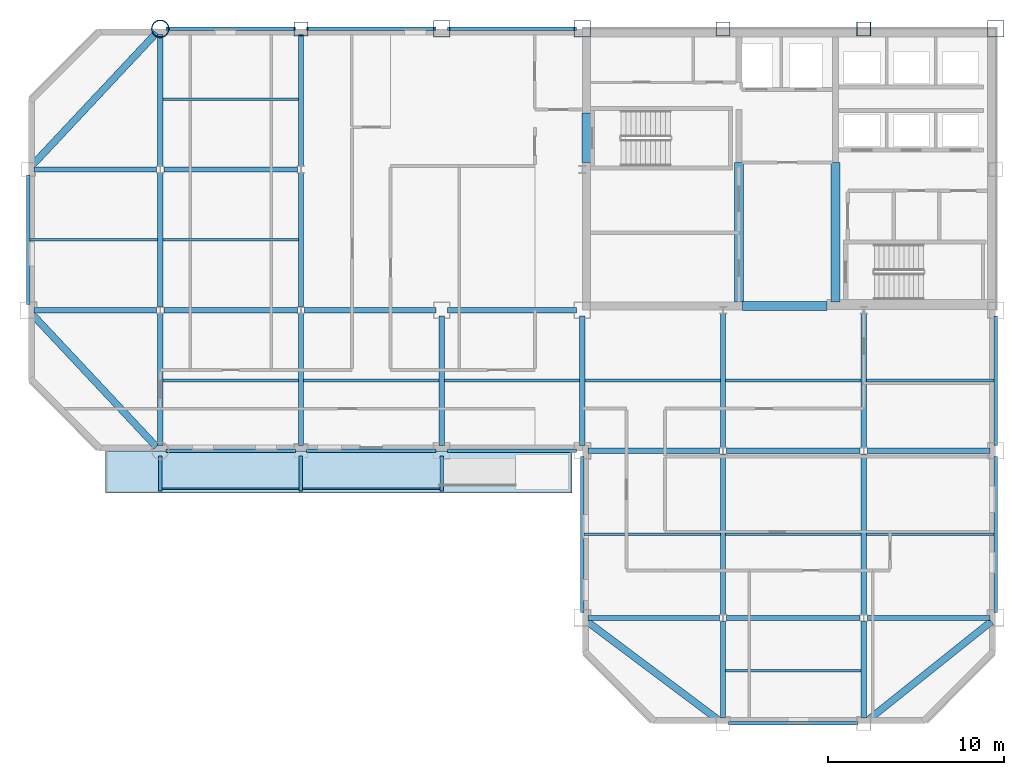
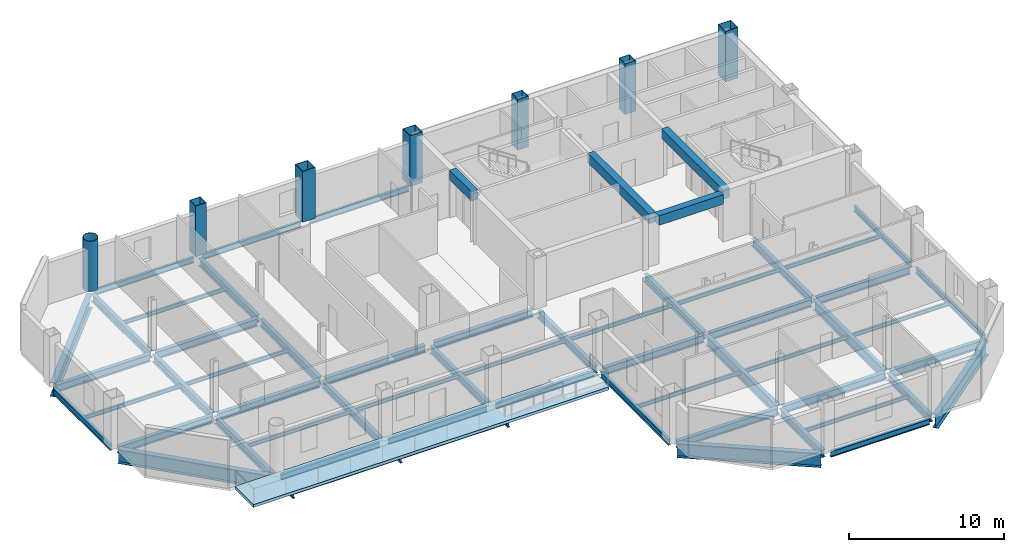
# One storey, part 3 of 11: 63 beams, 7 columns, 1 slab.
"""IFC4 building model written with IfcOpenShell, lengths in metres."""

from ifc_helpers import new_model, si_unit, direction, frame, origin, origin_2d, place, context, subcontext, project, spatial, polyline, rectangle, hollow_rectangle, hollow_circle, i_section, outline, extrude, material, layer, layer_set, material_profile, profile_set, type_object, element, save


model = new_model("IFC4")

# Units and contexts
model_context = context("Model", 3, precision=1e-05, world=origin(), true_north=direction((0.0, 1.0)))
body_context = subcontext(model_context, "Body", "Model", "MODEL_VIEW")
ifc_project = project(units=[si_unit("LENGTHUNIT", "METRE"), si_unit("AREAUNIT", "SQUARE_METRE"), si_unit("VOLUMEUNIT", "CUBIC_METRE"), si_unit("PLANEANGLEUNIT", "RADIAN"), si_unit("MASSUNIT", "GRAM", prefix="KILO")], contexts=[model_context])

# Site, building, storey
site_placement = place(None, origin())
site = spatial("IfcSite", under=ifc_project, at=site_placement, CompositionType="ELEMENT")
building_placement = place(site_placement, origin())
building = spatial("IfcBuilding", under=site, at=building_placement, Name="Qianrong Seaharbour Tower", CompositionType="ELEMENT")
storey_placement = place(building_placement, frame((0.0, 0.0, 273.800048828125)))
storey = spatial("IfcBuildingStorey", under=building, at=storey_placement, Name="L66", CompositionType="ELEMENT", Elevation=273.800048828125)

# Columns
ifc_material_1 = material(Name="Structural steel SN490B", Category="steel")
ifc_material_profile_1 = material_profile(ifc_material_1, hollow_rectangle(XDim=0.949951171875, YDim=0.949951171875, WallThickness=0.035888671875, at=origin_2d()), Name="BOX950x950x36")
ifc_profile_set_1 = profile_set([ifc_material_profile_1], Name="Structural steel SN490B")
column_type_1 = type_object("IfcColumnType", Name="COL-CFT-950", PredefinedType="COLUMN", material=ifc_profile_set_1)
for number, where, z_axis, x_axis, name in (
    (1, (32.5, 52.0, 0.0), (0.0, 0.0, 1.0), (1.0, 0.0, 0.0), "L66 Column MC-4 at G5/GH"),
    (2, (40.5, 52.0, 0.0), (0.0, 0.0, 1.0), (1.0, 0.0, 0.0), "L66 Column MC-4 at G6/GH"),
    (3, (64.0, 52.0, 0.0), (0.0, 0.0, 1.0), (1.0, 0.0, 0.0), "L66 Column MC-4 at G9/GH"),
):
    element("IfcColumn", number, at=place(storey_placement, frame(where, z_axis=z_axis, x_axis=x_axis)), inside=storey, type_object=column_type_1, Name=name, PredefinedType="COLUMN", context=body_context, shape_type="SweptSolid", body=[
        extrude(hollow_rectangle(XDim=0.949951171875, YDim=0.949951171875, WallThickness=0.035888671875, at=origin_2d()), origin(), (0.0, 0.0, 1.0), 4.0),
    ])
ifc_material_profile_2 = material_profile(ifc_material_1, hollow_circle(Radius=0.5, WallThickness=0.035888671875, at=origin_2d()), Name="CHS1000x36")
ifc_profile_set_2 = profile_set([ifc_material_profile_2], Name="Structural steel SN490B")
column_type_2 = type_object("IfcColumnType", Name="COL-CHS-1000", PredefinedType="COLUMN", material=ifc_profile_set_2)
column_placement = place(storey_placement, frame((16.5, 52.0, 0.0), z_axis=(0.0, 0.0, 1.0), x_axis=(1.0, 0.0, 0.0)))
element("IfcColumn", 4, at=column_placement, inside=storey, type_object=column_type_2, Name="L66 Column CC-2 at G3/GH", PredefinedType="COLUMN", context=body_context, shape_type="SweptSolid", body=[
    extrude(hollow_circle(Radius=0.5, WallThickness=0.035888671875, at=origin_2d()), origin(), (0.0, 0.0, 1.0), 4.0),
])
ifc_material_profile_3 = material_profile(ifc_material_1, hollow_rectangle(XDim=0.800048828125, YDim=0.800048828125, WallThickness=0.031982421875, at=origin_2d()), Name="BOX800x800x32")
ifc_profile_set_3 = profile_set([ifc_material_profile_3], Name="Structural steel SN490B")
column_type_3 = type_object("IfcColumnType", Name="COL-PER-800", PredefinedType="COLUMN", material=ifc_profile_set_3)
for number, where, z_axis, x_axis, name in (
    (5, (24.5, 52.0, 0.0), (0.0, 0.0, 1.0), (1.0, 0.0, 0.0), "L66 Column PC-3 at G4/GH"),
    (6, (48.5, 52.0, 0.0), (0.0, 0.0, 1.0), (1.0, 0.0, 0.0), "L66 Column PC-3 at G7/GH"),
    (7, (56.5, 52.0, 0.0), (0.0, 0.0, 1.0), (1.0, 0.0, 0.0), "L66 Column PC-3 at G8/GH"),
):
    element("IfcColumn", number, at=place(storey_placement, frame(where, z_axis=z_axis, x_axis=x_axis)), inside=storey, type_object=column_type_3, Name=name, PredefinedType="COLUMN", context=body_context, shape_type="SweptSolid", body=[
        extrude(hollow_rectangle(XDim=0.800048828125, YDim=0.800048828125, WallThickness=0.031982421875, at=origin_2d()), origin(), (0.0, 0.0, 1.0), 4.0),
    ])

# Beams
ifc_material_profile_4 = material_profile(ifc_material_1, i_section(OverallWidth=0.300048828125, OverallDepth=0.587890625, WebThickness=0.011962890625, FlangeThickness=0.02001953125, FilletRadius=0.02392578125, at=origin_2d()), Name="H588x300x12x20")
ifc_profile_set_4 = profile_set([ifc_material_profile_4], Name="Structural steel SN490B")
beam_type_1 = type_object("IfcBeamType", Name="BM-G-588", PredefinedType="BEAM", material=ifc_profile_set_4)
beam_1_placement = place(storey_placement, frame((40.820068359375, 18.5, -0.51904296875), z_axis=(1.0, 0.0, 0.0), x_axis=(0.0, 1.0, 0.0)))
element("IfcBeam", 8, at=beam_1_placement, inside=storey, type_object=beam_type_1, Name="L66 Primary Girder GD G6-G7", PredefinedType="BEAM", context=body_context, shape_type="SweptSolid", body=[
    extrude(i_section(OverallWidth=0.300048828125, OverallDepth=0.587890625, WebThickness=0.011962890625, FlangeThickness=0.02001953125, FilletRadius=0.02392578125, at=origin_2d()), origin(), (0.0, 0.0, 1.0), 7.47998046875),
])
beam_2_placement = place(storey_placement, frame((48.699951171875, 18.5, -0.51904296875), z_axis=(1.0, 0.0, 0.0), x_axis=(0.0, 1.0, 0.0)))
element("IfcBeam", 9, at=beam_2_placement, inside=storey, type_object=beam_type_1, Name="L66 Primary Girder GD G7-G8", PredefinedType="BEAM", context=body_context, shape_type="SweptSolid", body=[
    extrude(i_section(OverallWidth=0.300048828125, OverallDepth=0.587890625, WebThickness=0.011962890625, FlangeThickness=0.02001953125, FilletRadius=0.02392578125, at=origin_2d()), origin(), (0.0, 0.0, 1.0), 7.60009765625),
])
beam_3_placement = place(storey_placement, frame((56.699951171875, 18.5, -0.51904296875), z_axis=(1.0, 0.0, 0.0), x_axis=(0.0, 1.0, 0.0)))
element("IfcBeam", 10, at=beam_3_placement, inside=storey, type_object=beam_type_1, Name="L66 Primary Girder GD G8-G9", PredefinedType="BEAM", context=body_context, shape_type="SweptSolid", body=[
    extrude(i_section(OverallWidth=0.300048828125, OverallDepth=0.587890625, WebThickness=0.011962890625, FlangeThickness=0.02001953125, FilletRadius=0.02392578125, at=origin_2d()), origin(), (0.0, 0.0, 1.0), 6.97998046875),
])
beam_4_placement = place(storey_placement, frame((40.820068359375, 28.0, -0.51904296875), z_axis=(1.0, 0.0, 0.0), x_axis=(0.0, 1.0, 0.0)))
element("IfcBeam", 11, at=beam_4_placement, inside=storey, type_object=beam_type_1, Name="L66 Primary Girder GE G6-G7", PredefinedType="BEAM", context=body_context, shape_type="SweptSolid", body=[
    extrude(i_section(OverallWidth=0.300048828125, OverallDepth=0.587890625, WebThickness=0.011962890625, FlangeThickness=0.02001953125, FilletRadius=0.02392578125, at=origin_2d()), origin(), (0.0, 0.0, 1.0), 7.47998046875),
])
beam_5_placement = place(storey_placement, frame((48.699951171875, 28.0, -0.51904296875), z_axis=(1.0, 0.0, 0.0), x_axis=(0.0, 1.0, 0.0)))
element("IfcBeam", 12, at=beam_5_placement, inside=storey, type_object=beam_type_1, Name="L66 Primary Girder GE G7-G8", PredefinedType="BEAM", context=body_context, shape_type="SweptSolid", body=[
    extrude(i_section(OverallWidth=0.300048828125, OverallDepth=0.587890625, WebThickness=0.011962890625, FlangeThickness=0.02001953125, FilletRadius=0.02392578125, at=origin_2d()), origin(), (0.0, 0.0, 1.0), 7.60009765625),
])
for number, where, z_axis, x_axis, name in (
    (13, (56.699951171875, 28.0, -0.51904296875), (1.0, 0.0, 0.0), (0.0, 1.0, 0.0), "L66 Primary Girder GE G8-G9"),
    (14, (9.320068359375, 36.0, -0.51904296875), (1.0, 0.0, 0.0), (0.0, 1.0, 0.0), "L66 Primary Girder GF G2-G3"),
):
    element("IfcBeam", number, at=place(storey_placement, frame(where, z_axis=z_axis, x_axis=x_axis)), inside=storey, type_object=beam_type_1, Name=name, PredefinedType="BEAM", context=body_context, shape_type="SweptSolid", body=[
        extrude(i_section(OverallWidth=0.300048828125, OverallDepth=0.587890625, WebThickness=0.011962890625, FlangeThickness=0.02001953125, FilletRadius=0.02392578125, at=origin_2d()), origin(), (0.0, 0.0, 1.0), 6.97998046875),
    ])
beam_6_placement = place(storey_placement, frame((16.699951171875, 36.0, -0.51904296875), z_axis=(1.0, 0.0, 0.0), x_axis=(0.0, 1.0, 0.0)))
element("IfcBeam", 15, at=beam_6_placement, inside=storey, type_object=beam_type_1, Name="L66 Primary Girder GF G3-G4", PredefinedType="BEAM", context=body_context, shape_type="SweptSolid", body=[
    extrude(i_section(OverallWidth=0.300048828125, OverallDepth=0.587890625, WebThickness=0.011962890625, FlangeThickness=0.02001953125, FilletRadius=0.02392578125, at=origin_2d()), origin(), (0.0, 0.0, 1.0), 7.60009765625),
])
beam_7_placement = place(storey_placement, frame((24.699951171875, 36.0, -0.51904296875), z_axis=(1.0, 0.0, 0.0), x_axis=(0.0, 1.0, 0.0)))
element("IfcBeam", 16, at=beam_7_placement, inside=storey, type_object=beam_type_1, Name="L66 Primary Girder GF G4-G5", PredefinedType="BEAM", context=body_context, shape_type="SweptSolid", body=[
    extrude(i_section(OverallWidth=0.300048828125, OverallDepth=0.587890625, WebThickness=0.011962890625, FlangeThickness=0.02001953125, FilletRadius=0.02392578125, at=origin_2d()), origin(), (0.0, 0.0, 1.0), 7.47998046875),
])
beam_8_placement = place(storey_placement, frame((32.820068359375, 36.0, -0.51904296875), z_axis=(1.0, 0.0, 0.0), x_axis=(0.0, 1.0, 0.0)))
element("IfcBeam", 17, at=beam_8_placement, inside=storey, type_object=beam_type_1, Name="L66 Primary Girder GF G5-G6", PredefinedType="BEAM", context=body_context, shape_type="SweptSolid", body=[
    extrude(i_section(OverallWidth=0.300048828125, OverallDepth=0.587890625, WebThickness=0.011962890625, FlangeThickness=0.02001953125, FilletRadius=0.02392578125, at=origin_2d()), origin(), (0.0, 0.0, 1.0), 7.35986328125),
])
beam_9_placement = place(storey_placement, frame((9.320068359375, 44.0, -0.51904296875), z_axis=(1.0, 0.0, 0.0), x_axis=(0.0, 1.0, 0.0)))
element("IfcBeam", 18, at=beam_9_placement, inside=storey, type_object=beam_type_1, Name="L66 Primary Girder GG G2-G3", PredefinedType="BEAM", context=body_context, shape_type="SweptSolid", body=[
    extrude(i_section(OverallWidth=0.300048828125, OverallDepth=0.587890625, WebThickness=0.011962890625, FlangeThickness=0.02001953125, FilletRadius=0.02392578125, at=origin_2d()), origin(), (0.0, 0.0, 1.0), 6.97998046875),
])
beam_10_placement = place(storey_placement, frame((16.699951171875, 44.0, -0.51904296875), z_axis=(1.0, 0.0, 0.0), x_axis=(0.0, 1.0, 0.0)))
element("IfcBeam", 19, at=beam_10_placement, inside=storey, type_object=beam_type_1, Name="L66 Primary Girder GG G3-G4", PredefinedType="BEAM", context=body_context, shape_type="SweptSolid", body=[
    extrude(i_section(OverallWidth=0.300048828125, OverallDepth=0.587890625, WebThickness=0.011962890625, FlangeThickness=0.02001953125, FilletRadius=0.02392578125, at=origin_2d()), origin(), (0.0, 0.0, 1.0), 7.60009765625),
])
beam_11_placement = place(storey_placement, frame((16.5, 28.320068359375, -0.51904296875), z_axis=(0.0, 1.0, 0.0), x_axis=(-1.0, 0.0, 0.0)))
element("IfcBeam", 20, at=beam_11_placement, inside=storey, type_object=beam_type_1, Name="L66 Primary Girder G3 GE-GF", PredefinedType="BEAM", context=body_context, shape_type="SweptSolid", body=[
    extrude(i_section(OverallWidth=0.300048828125, OverallDepth=0.587890625, WebThickness=0.011962890625, FlangeThickness=0.02001953125, FilletRadius=0.02392578125, at=origin_2d()), origin(), (0.0, 0.0, 1.0), 7.47998046875),
])
beam_12_placement = place(storey_placement, frame((16.5, 36.199951171875, -0.51904296875), z_axis=(0.0, 1.0, 0.0), x_axis=(-1.0, 0.0, 0.0)))
element("IfcBeam", 21, at=beam_12_placement, inside=storey, type_object=beam_type_1, Name="L66 Primary Girder G3 GF-GG", PredefinedType="BEAM", context=body_context, shape_type="SweptSolid", body=[
    extrude(i_section(OverallWidth=0.300048828125, OverallDepth=0.587890625, WebThickness=0.011962890625, FlangeThickness=0.02001953125, FilletRadius=0.02392578125, at=origin_2d()), origin(), (0.0, 0.0, 1.0), 7.60009765625),
])
for number, where, z_axis, x_axis, name in (
    (22, (16.5, 44.199951171875, -0.51904296875), (0.0, 1.0, 0.0), (-1.0, 0.0, 0.0), "L66 Primary Girder G3 GG-GH"),
    (23, (24.5, 28.320068359375, -0.51904296875), (0.0, 1.0, 0.0), (-1.0, 0.0, 0.0), "L66 Primary Girder G4 GE-GF"),
):
    element("IfcBeam", number, at=place(storey_placement, frame(where, z_axis=z_axis, x_axis=x_axis)), inside=storey, type_object=beam_type_1, Name=name, PredefinedType="BEAM", context=body_context, shape_type="SweptSolid", body=[
        extrude(i_section(OverallWidth=0.300048828125, OverallDepth=0.587890625, WebThickness=0.011962890625, FlangeThickness=0.02001953125, FilletRadius=0.02392578125, at=origin_2d()), origin(), (0.0, 0.0, 1.0), 7.47998046875),
    ])
beam_13_placement = place(storey_placement, frame((24.5, 36.199951171875, -0.51904296875), z_axis=(0.0, 1.0, 0.0), x_axis=(-1.0, 0.0, 0.0)))
element("IfcBeam", 24, at=beam_13_placement, inside=storey, type_object=beam_type_1, Name="L66 Primary Girder G4 GF-GG", PredefinedType="BEAM", context=body_context, shape_type="SweptSolid", body=[
    extrude(i_section(OverallWidth=0.300048828125, OverallDepth=0.587890625, WebThickness=0.011962890625, FlangeThickness=0.02001953125, FilletRadius=0.02392578125, at=origin_2d()), origin(), (0.0, 0.0, 1.0), 7.60009765625),
])
beam_14_placement = place(storey_placement, frame((24.5, 44.199951171875, -0.51904296875), z_axis=(0.0, 1.0, 0.0), x_axis=(-1.0, 0.0, 0.0)))
element("IfcBeam", 25, at=beam_14_placement, inside=storey, type_object=beam_type_1, Name="L66 Primary Girder G4 GG-GH", PredefinedType="BEAM", context=body_context, shape_type="SweptSolid", body=[
    extrude(i_section(OverallWidth=0.300048828125, OverallDepth=0.587890625, WebThickness=0.011962890625, FlangeThickness=0.02001953125, FilletRadius=0.02392578125, at=origin_2d()), origin(), (0.0, 0.0, 1.0), 7.47998046875),
])
for number, where, z_axis, x_axis, name in (
    (26, (32.5, 28.320068359375, -0.51904296875), (0.0, 1.0, 0.0), (-1.0, 0.0, 0.0), "L66 Primary Girder G5 GE-GF"),
    (27, (40.5, 28.320068359375, -0.51904296875), (0.0, 1.0, 0.0), (-1.0, 0.0, 0.0), "L66 Primary Girder G6 GE-GF"),
):
    element("IfcBeam", number, at=place(storey_placement, frame(where, z_axis=z_axis, x_axis=x_axis)), inside=storey, type_object=beam_type_1, Name=name, PredefinedType="BEAM", context=body_context, shape_type="SweptSolid", body=[
        extrude(i_section(OverallWidth=0.300048828125, OverallDepth=0.587890625, WebThickness=0.011962890625, FlangeThickness=0.02001953125, FilletRadius=0.02392578125, at=origin_2d()), origin(), (0.0, 0.0, 1.0), 7.35986328125),
    ])
beam_15_placement = place(storey_placement, frame((48.5, 12.820068359375, -0.51904296875), z_axis=(0.0, 1.0, 0.0), x_axis=(-1.0, 0.0, 0.0)))
element("IfcBeam", 28, at=beam_15_placement, inside=storey, type_object=beam_type_1, Name="L66 Primary Girder G7 GC-GD", PredefinedType="BEAM", context=body_context, shape_type="SweptSolid", body=[
    extrude(i_section(OverallWidth=0.300048828125, OverallDepth=0.587890625, WebThickness=0.011962890625, FlangeThickness=0.02001953125, FilletRadius=0.02392578125, at=origin_2d()), origin(), (0.0, 0.0, 1.0), 5.47998046875),
])
beam_16_placement = place(storey_placement, frame((48.5, 28.199951171875, -0.51904296875), z_axis=(0.0, 1.0, 0.0), x_axis=(-1.0, 0.0, 0.0)))
element("IfcBeam", 29, at=beam_16_placement, inside=storey, type_object=beam_type_1, Name="L66 Primary Girder G7 GE-GF", PredefinedType="BEAM", context=body_context, shape_type="SweptSolid", body=[
    extrude(i_section(OverallWidth=0.300048828125, OverallDepth=0.587890625, WebThickness=0.011962890625, FlangeThickness=0.02001953125, FilletRadius=0.02392578125, at=origin_2d()), origin(), (0.0, 0.0, 1.0), 7.60009765625),
])
beam_17_placement = place(storey_placement, frame((56.5, 12.820068359375, -0.51904296875), z_axis=(0.0, 1.0, 0.0), x_axis=(-1.0, 0.0, 0.0)))
element("IfcBeam", 30, at=beam_17_placement, inside=storey, type_object=beam_type_1, Name="L66 Primary Girder G8 GC-GD", PredefinedType="BEAM", context=body_context, shape_type="SweptSolid", body=[
    extrude(i_section(OverallWidth=0.300048828125, OverallDepth=0.587890625, WebThickness=0.011962890625, FlangeThickness=0.02001953125, FilletRadius=0.02392578125, at=origin_2d()), origin(), (0.0, 0.0, 1.0), 5.47998046875),
])
beam_18_placement = place(storey_placement, frame((56.5, 28.199951171875, -0.51904296875), z_axis=(0.0, 1.0, 0.0), x_axis=(-1.0, 0.0, 0.0)))
element("IfcBeam", 31, at=beam_18_placement, inside=storey, type_object=beam_type_1, Name="L66 Primary Girder G8 GE-GF", PredefinedType="BEAM", context=body_context, shape_type="SweptSolid", body=[
    extrude(i_section(OverallWidth=0.300048828125, OverallDepth=0.587890625, WebThickness=0.011962890625, FlangeThickness=0.02001953125, FilletRadius=0.02392578125, at=origin_2d()), origin(), (0.0, 0.0, 1.0), 7.60009765625),
])
ifc_material_profile_5 = material_profile(ifc_material_1, i_section(OverallWidth=0.300048828125, OverallDepth=0.800048828125, WebThickness=0.013916015625, FlangeThickness=0.02587890625, FilletRadius=0.028076171875, at=origin_2d()), Name="H800x300x14x26")
ifc_profile_set_5 = profile_set([ifc_material_profile_5], Name="Structural steel SN490B")
beam_type_2 = type_object("IfcBeamType", Name="BM-G-800", PredefinedType="BEAM", material=ifc_profile_set_5)
for number, where, z_axis, x_axis, name in (
    (32, (48.5, 18.699951171875, -0.625), (0.0, 1.0, 0.0), (-1.0, 0.0, 0.0), "L66 Primary Girder G7 GD-GE"),
    (33, (56.5, 18.699951171875, -0.625), (0.0, 1.0, 0.0), (-1.0, 0.0, 0.0), "L66 Primary Girder G8 GD-GE"),
):
    element("IfcBeam", number, at=place(storey_placement, frame(where, z_axis=z_axis, x_axis=x_axis)), inside=storey, type_object=beam_type_2, Name=name, PredefinedType="BEAM", context=body_context, shape_type="SweptSolid", body=[
        extrude(i_section(OverallWidth=0.300048828125, OverallDepth=0.800048828125, WebThickness=0.013916015625, FlangeThickness=0.02587890625, FilletRadius=0.028076171875, at=origin_2d()), origin(), (0.0, 0.0, 1.0), 9.10009765625),
    ])
ifc_material_2 = material(Name="Structural steel SN400B", Category="steel")
ifc_material_profile_6 = material_profile(ifc_material_2, i_section(OverallWidth=0.14990234375, OverallDepth=0.300048828125, WebThickness=0.006591796875, FlangeThickness=0.009033203125, FilletRadius=0.012939453125, at=origin_2d()), Name="H300x150x6.5x9")
ifc_profile_set_6 = profile_set([ifc_material_profile_6], Name="Structural steel SN400B")
beam_type_3 = type_object("IfcBeamType", Name="BM-J-300", PredefinedType="JOIST", material=ifc_profile_set_6)
beam_19_placement = place(storey_placement, frame((9.10009765625, 40.0, -0.375), z_axis=(1.0, 0.0, 0.0), x_axis=(0.0, 1.0, 0.0)))
element("IfcBeam", 34, at=beam_19_placement, inside=storey, type_object=beam_type_3, Name="L66 Composite Floor Joist G2-G3/GF-GG", PredefinedType="JOIST", context=body_context, shape_type="SweptSolid", body=[
    extrude(i_section(OverallWidth=0.14990234375, OverallDepth=0.300048828125, WebThickness=0.006591796875, FlangeThickness=0.009033203125, FilletRadius=0.012939453125, at=origin_2d()), origin(), (0.0, 0.0, 1.0), 7.25),
])
for number, where, z_axis, x_axis, name in (
    (35, (16.64990234375, 32.0, -0.375), (1.0, 0.0, 0.0), (0.0, 1.0, 0.0), "L66 Composite Floor Joist G3-G4/GE-GF"),
    (36, (16.64990234375, 40.0, -0.375), (1.0, 0.0, 0.0), (0.0, 1.0, 0.0), "L66 Composite Floor Joist G3-G4/GF-GG"),
    (37, (16.64990234375, 48.0, -0.375), (1.0, 0.0, 0.0), (0.0, 1.0, 0.0), "L66 Composite Floor Joist G3-G4/GG-GH"),
    (38, (24.64990234375, 32.0, -0.375), (1.0, 0.0, 0.0), (0.0, 1.0, 0.0), "L66 Composite Floor Joist G4-G5/GE-GF"),
    (39, (32.64990234375, 32.0, -0.375), (1.0, 0.0, 0.0), (0.0, 1.0, 0.0), "L66 Composite Floor Joist G5-G6/GE-GF"),
):
    element("IfcBeam", number, at=place(storey_placement, frame(where, z_axis=z_axis, x_axis=x_axis)), inside=storey, type_object=beam_type_3, Name=name, PredefinedType="JOIST", context=body_context, shape_type="SweptSolid", body=[
        extrude(i_section(OverallWidth=0.14990234375, OverallDepth=0.300048828125, WebThickness=0.006591796875, FlangeThickness=0.009033203125, FilletRadius=0.012939453125, at=origin_2d()), origin(), (0.0, 0.0, 1.0), 7.7001953125),
    ])
beam_20_placement = place(storey_placement, frame((40.60009765625, 23.25, -0.375), z_axis=(1.0, 0.0, 0.0), x_axis=(0.0, 1.0, 0.0)))
element("IfcBeam", 40, at=beam_20_placement, inside=storey, type_object=beam_type_3, Name="L66 Composite Floor Joist G6-G7/GD-GE", PredefinedType="JOIST", context=body_context, shape_type="SweptSolid", body=[
    extrude(i_section(OverallWidth=0.14990234375, OverallDepth=0.300048828125, WebThickness=0.006591796875, FlangeThickness=0.009033203125, FilletRadius=0.012939453125, at=origin_2d()), origin(), (0.0, 0.0, 1.0), 7.75),
])
for number, where, z_axis, x_axis, name in (
    (41, (40.64990234375, 32.0, -0.375), (1.0, 0.0, 0.0), (0.0, 1.0, 0.0), "L66 Composite Floor Joist G6-G7/GE-GF"),
    (42, (48.64990234375, 15.5, -0.375), (1.0, 0.0, 0.0), (0.0, 1.0, 0.0), "L66 Composite Floor Joist G7-G8/GC-GD"),
    (43, (48.64990234375, 23.25, -0.375), (1.0, 0.0, 0.0), (0.0, 1.0, 0.0), "L66 Composite Floor Joist G7-G8/GD-GE"),
    (44, (48.64990234375, 32.0, -0.375), (1.0, 0.0, 0.0), (0.0, 1.0, 0.0), "L66 Composite Floor Joist G7-G8/GE-GF"),
):
    element("IfcBeam", number, at=place(storey_placement, frame(where, z_axis=z_axis, x_axis=x_axis)), inside=storey, type_object=beam_type_3, Name=name, PredefinedType="JOIST", context=body_context, shape_type="SweptSolid", body=[
        extrude(i_section(OverallWidth=0.14990234375, OverallDepth=0.300048828125, WebThickness=0.006591796875, FlangeThickness=0.009033203125, FilletRadius=0.012939453125, at=origin_2d()), origin(), (0.0, 0.0, 1.0), 7.7001953125),
    ])
for number, where, z_axis, x_axis, name in (
    (45, (56.64990234375, 23.25, -0.375), (1.0, 0.0, 0.0), (0.0, 1.0, 0.0), "L66 Composite Floor Joist G8-G9/GD-GE"),
    (46, (56.64990234375, 32.0, -0.375), (1.0, 0.0, 0.0), (0.0, 1.0, 0.0), "L66 Composite Floor Joist G8-G9/GE-GF"),
):
    element("IfcBeam", number, at=place(storey_placement, frame(where, z_axis=z_axis, x_axis=x_axis)), inside=storey, type_object=beam_type_3, Name=name, PredefinedType="JOIST", context=body_context, shape_type="SweptSolid", body=[
        extrude(i_section(OverallWidth=0.14990234375, OverallDepth=0.300048828125, WebThickness=0.006591796875, FlangeThickness=0.009033203125, FilletRadius=0.012939453125, at=origin_2d()), origin(), (0.0, 0.0, 1.0), 7.25),
    ])
ifc_material_3 = material(Name="Concrete C60/75", Category="concrete")
ifc_material_profile_7 = material_profile(ifc_material_3, rectangle(XDim=0.5, YDim=0.75, at=origin_2d()), Name="RC500x750")
ifc_profile_set_7 = profile_set([ifc_material_profile_7], Name="Concrete C60/75")
beam_type_4 = type_object("IfcBeamType", Name="BM-LINTEL-750", PredefinedType="LINTEL", material=ifc_profile_set_7)
beam_21_placement = place(storey_placement, frame((40.72998046875, 44.39990234375, 3.39990234375), z_axis=(0.0, 1.0, 0.0), x_axis=(-1.0, 0.0, 0.0)))
element("IfcBeam", 47, at=beam_21_placement, inside=storey, type_object=beam_type_4, Name="L66 Core Coupling Lintel Beam West", PredefinedType="LINTEL", context=body_context, shape_type="SweptSolid", body=[
    extrude(rectangle(XDim=0.5, YDim=0.75, at=origin_2d()), origin(), (0.0, 0.0, 1.0), 2.800048828125),
])
beam_22_placement = place(storey_placement, frame((49.60009765625, 36.22998046875, 3.39990234375), z_axis=(1.0, 0.0, 0.0), x_axis=(0.0, 1.0, 0.0)))
element("IfcBeam", 48, at=beam_22_placement, inside=storey, type_object=beam_type_4, Name="L66 Core Coupling Lintel Beam CBC", PredefinedType="LINTEL", context=body_context, shape_type="SweptSolid", body=[
    extrude(rectangle(XDim=0.5, YDim=0.75, at=origin_2d()), origin(), (0.0, 0.0, 1.0), 4.7998046875),
])
for number, where, z_axis, x_axis, name in (
    (49, (49.39990234375, 36.4599609375, 3.39990234375), (0.0, 1.0, 0.0), (-1.0, 0.0, 0.0), "L66 Internal Core Coupling Beam IW1"),
    (50, (54.89990234375, 36.4599609375, 3.39990234375), (0.0, 1.0, 0.0), (-1.0, 0.0, 0.0), "L66 Internal Core Coupling Beam IW2"),
):
    element("IfcBeam", number, at=place(storey_placement, frame(where, z_axis=z_axis, x_axis=x_axis)), inside=storey, type_object=beam_type_4, Name=name, PredefinedType="LINTEL", context=body_context, shape_type="SweptSolid", body=[
        extrude(rectangle(XDim=0.5, YDim=0.75, at=origin_2d()), origin(), (0.0, 0.0, 1.0), 7.93994140625),
    ])
ifc_material_profile_8 = material_profile(ifc_material_2, i_section(OverallWidth=0.10009765625, OverallDepth=0.199951171875, WebThickness=0.005615234375, FlangeThickness=0.008056640625, FilletRadius=0.010986328125, at=origin_2d()), Name="H200x100x5.5x8")
ifc_profile_set_8 = profile_set([ifc_material_profile_8], Name="Structural steel SN400B")
beam_type_5 = type_object("IfcBeamType", Name="BM-PURLIN-200", PredefinedType="JOIST", material=ifc_profile_set_8)
for number, where, z_axis, x_axis, name in (
    (51, (16.60009765625, 25.840087890625, -0.324951171875), (1.0, 0.0, 0.0), (0.0, 1.0, 0.0), "L66 Harbourfront Ribbon Edge Beam G4"),
    (52, (24.60009765625, 25.840087890625, -0.324951171875), (1.0, 0.0, 0.0), (0.0, 1.0, 0.0), "L66 Harbourfront Ribbon Edge Beam G5"),
):
    element("IfcBeam", number, at=place(storey_placement, frame(where, z_axis=z_axis, x_axis=x_axis)), inside=storey, type_object=beam_type_5, Name=name, PredefinedType="JOIST", context=body_context, shape_type="SweptSolid", body=[
        extrude(i_section(OverallWidth=0.10009765625, OverallDepth=0.199951171875, WebThickness=0.005615234375, FlangeThickness=0.008056640625, FilletRadius=0.010986328125, at=origin_2d()), origin(), (0.0, 0.0, 1.0), 7.7998046875),
    ])
ifc_material_profile_9 = material_profile(ifc_material_1, i_section(OverallWidth=0.199951171875, OverallDepth=0.449951171875, WebThickness=0.009033203125, FlangeThickness=0.013916015625, FilletRadius=0.01806640625, at=origin_2d()), Name="H450x200x9x14")
ifc_profile_set_9 = profile_set([ifc_material_profile_9], Name="Structural steel SN490B")
beam_type_6 = type_object("IfcBeamType", Name="BM-RIB-450", PredefinedType="BEAM", material=ifc_profile_set_9)
for number, where, z_axis, x_axis, name in (
    (53, (16.5, 27.699951171875, -0.449951171875), (0.0, -1.0, 0.0), (1.0, 0.0, 0.0), "L66 Harbourfront Ribbon Cantilever Bracket G3"),
    (54, (24.5, 27.699951171875, -0.449951171875), (0.0, -1.0, 0.0), (1.0, 0.0, 0.0), "L66 Harbourfront Ribbon Cantilever Bracket G4"),
    (55, (32.5, 27.699951171875, -0.449951171875), (0.0, -1.0, 0.0), (1.0, 0.0, 0.0), "L66 Harbourfront Ribbon Cantilever Bracket G5"),
):
    element("IfcBeam", number, at=place(storey_placement, frame(where, z_axis=z_axis, x_axis=x_axis)), inside=storey, type_object=beam_type_6, Name=name, PredefinedType="BEAM", context=body_context, shape_type="SweptSolid", body=[
        extrude(i_section(OverallWidth=0.199951171875, OverallDepth=0.449951171875, WebThickness=0.009033203125, FlangeThickness=0.013916015625, FilletRadius=0.01806640625, at=origin_2d()), origin(), (0.0, 0.0, 1.0), 1.97998046875),
    ])
ifc_material_profile_10 = material_profile(ifc_material_2, i_section(OverallWidth=0.199951171875, OverallDepth=0.449951171875, WebThickness=0.009033203125, FlangeThickness=0.013916015625, FilletRadius=0.01806640625, at=origin_2d()), Name="H450x200x9x14")
ifc_profile_set_10 = profile_set([ifc_material_profile_10], Name="Structural steel SN400B")
beam_type_7 = type_object("IfcBeamType", Name="BM-SP-450", PredefinedType="SPANDREL", material=ifc_profile_set_10)
for number, where, z_axis, x_axis, name in (
    (56, (48.820068359375, 12.5, -0.449951171875), (1.0, 0.0, 0.0), (0.0, 1.0, 0.0), "L66 Spandrel Girder GC G7-G8"),
    (57, (16.820068359375, 28.0, -0.449951171875), (1.0, 0.0, 0.0), (0.0, 1.0, 0.0), "L66 Spandrel Girder GE G3-G4"),
    (58, (24.820068359375, 28.0, -0.449951171875), (1.0, 0.0, 0.0), (0.0, 1.0, 0.0), "L66 Spandrel Girder GE G4-G5"),
    (59, (32.820068359375, 28.0, -0.449951171875), (1.0, 0.0, 0.0), (0.0, 1.0, 0.0), "L66 Spandrel Girder GE G5-G6"),
    (60, (16.820068359375, 52.0, -0.449951171875), (1.0, 0.0, 0.0), (0.0, 1.0, 0.0), "L66 Spandrel Girder GH G3-G4"),
    (61, (24.820068359375, 52.0, -0.449951171875), (1.0, 0.0, 0.0), (0.0, 1.0, 0.0), "L66 Spandrel Girder GH G4-G5"),
    (62, (32.820068359375, 52.0, -0.449951171875), (1.0, 0.0, 0.0), (0.0, 1.0, 0.0), "L66 Spandrel Girder GH G5-G6"),
    (63, (9.0, 36.320068359375, -0.449951171875), (0.0, 1.0, 0.0), (-1.0, 0.0, 0.0), "L66 Spandrel Girder G2 GF-GG"),
):
    element("IfcBeam", number, at=place(storey_placement, frame(where, z_axis=z_axis, x_axis=x_axis)), inside=storey, type_object=beam_type_7, Name=name, PredefinedType="SPANDREL", context=body_context, shape_type="SweptSolid", body=[
        extrude(i_section(OverallWidth=0.199951171875, OverallDepth=0.449951171875, WebThickness=0.009033203125, FlangeThickness=0.013916015625, FilletRadius=0.01806640625, at=origin_2d()), origin(), (0.0, 0.0, 1.0), 7.35986328125),
    ])
for number, where, z_axis, x_axis, name in (
    (64, (40.5, 18.820068359375, -0.449951171875), (0.0, 1.0, 0.0), (-1.0, 0.0, 0.0), "L66 Spandrel Girder G6 GD-GE"),
    (65, (64.0, 18.820068359375, -0.449951171875), (0.0, 1.0, 0.0), (-1.0, 0.0, 0.0), "L66 Spandrel Girder G9 GD-GE"),
):
    element("IfcBeam", number, at=place(storey_placement, frame(where, z_axis=z_axis, x_axis=x_axis)), inside=storey, type_object=beam_type_7, Name=name, PredefinedType="SPANDREL", context=body_context, shape_type="SweptSolid", body=[
        extrude(i_section(OverallWidth=0.199951171875, OverallDepth=0.449951171875, WebThickness=0.009033203125, FlangeThickness=0.013916015625, FilletRadius=0.01806640625, at=origin_2d()), origin(), (0.0, 0.0, 1.0), 8.85986328125),
    ])
beam_23_placement = place(storey_placement, frame((64.0, 28.320068359375, -0.449951171875), z_axis=(0.0, 1.0, 0.0), x_axis=(-1.0, 0.0, 0.0)))
element("IfcBeam", 66, at=beam_23_placement, inside=storey, type_object=beam_type_7, Name="L66 Spandrel Girder G9 GE-GF", PredefinedType="SPANDREL", context=body_context, shape_type="SweptSolid", body=[
    extrude(i_section(OverallWidth=0.199951171875, OverallDepth=0.449951171875, WebThickness=0.009033203125, FlangeThickness=0.013916015625, FilletRadius=0.01806640625, at=origin_2d()), origin(), (0.0, 0.0, 1.0), 7.35986328125),
])
ifc_material_profile_11 = material_profile(ifc_material_1, i_section(OverallWidth=0.39990234375, OverallDepth=1.10009765625, WebThickness=0.02001953125, FlangeThickness=0.035888671875, at=origin_2d()), Name="BH1100x400x20x36")
ifc_profile_set_11 = profile_set([ifc_material_profile_11], Name="Structural steel SN490B")
beam_type_8 = type_object("IfcBeamType", Name="BM-TG-1100", PredefinedType="BEAM", material=ifc_profile_set_11)
for number, where, z_axis, x_axis, name in (
    (67, (16.28125, 28.2333984375, -0.775146484375), (-0.683947420573, 0.729531305628, 0.0), (-0.729531305628, -0.683947420573, 0.0), "L66 Chamfer Corner Spandrel Girder G2/GE"),
    (68, (16.28125, 51.7666015625, -0.775146484375), (-0.683947420573, -0.729531305628, 0.0), (0.729531305628, -0.683947420573, 0.0), "L66 Chamfer Corner Spandrel Girder G2/GH"),
):
    element("IfcBeam", number, at=place(storey_placement, frame(where, z_axis=z_axis, x_axis=x_axis)), inside=storey, type_object=beam_type_8, Name=name, PredefinedType="BEAM", context=body_context, shape_type="SweptSolid", body=[
        extrude(i_section(OverallWidth=0.39990234375, OverallDepth=1.10009765625, WebThickness=0.02001953125, FlangeThickness=0.035888671875, at=origin_2d()), origin(), (0.0, 0.0, 1.0), 10.326171875),
    ])
beam_24_placement = place(storey_placement, frame((48.243896484375, 12.69189453125, -0.775146484375), z_axis=(-0.799981219482, 0.600025039875, 0.0), x_axis=(-0.600025039875, -0.799981219482, 0.0)))
element("IfcBeam", 69, at=beam_24_placement, inside=storey, type_object=beam_type_8, Name="L66 Chamfer Corner Spandrel Girder G6/GC", PredefinedType="BEAM", context=body_context, shape_type="SweptSolid", body=[
    extrude(i_section(OverallWidth=0.39990234375, OverallDepth=1.10009765625, WebThickness=0.02001953125, FlangeThickness=0.035888671875, at=origin_2d()), origin(), (0.0, 0.0, 1.0), 9.35986328125),
])
beam_25_placement = place(storey_placement, frame((56.75, 12.699951171875, -0.775146484375), z_axis=(0.780863495394, 0.624701690058, 0.0), x_axis=(-0.624701690058, 0.780863495394, 0.0)))
element("IfcBeam", 70, at=beam_25_placement, inside=storey, type_object=beam_type_8, Name="L66 Chamfer Corner Spandrel Girder G9/GC", PredefinedType="BEAM", context=body_context, shape_type="SweptSolid", body=[
    extrude(i_section(OverallWidth=0.39990234375, OverallDepth=1.10009765625, WebThickness=0.02001953125, FlangeThickness=0.035888671875, at=origin_2d()), origin(), (0.0, 0.0, 1.0), 8.96435546875),
])

# Slab
ifc_material_4 = material(Name="White architectural precast concrete C45/55", Category="concrete")
ifc_layer = layer(ifc_material_4, 0.22509765625)
ifc_layer_set = layer_set([ifc_layer], Name="White architectural precast concrete C45/55")
slab_type = type_object("IfcSlabType", Name="SLAB-RIBBON-225", PredefinedType="FLOOR", material=ifc_layer_set)
slab_placement = place(storey_placement, frame((0.0, 0.0, -0.22509765625)))
element("IfcSlab", 71, at=slab_placement, inside=storey, type_object=slab_type, Name="L66 Harbourfront White Precast Ribbon Gallery Slab", PredefinedType="FLOOR", context=body_context, shape_type="SweptSolid", body=[
    extrude(outline(polyline([(13.39990234375, 25.60009765625), (39.89990234375, 25.60009765625), (39.89990234375, 28.0), (13.39990234375, 28.0), (13.39990234375, 25.60009765625)])), origin(), (0.0, 0.0, 1.0), 0.22509765625),
])

save(model, "model.ifc")
